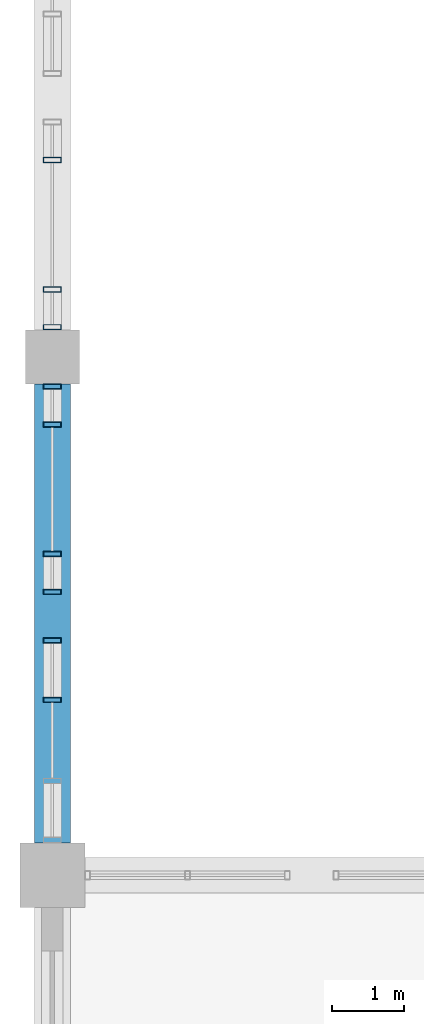
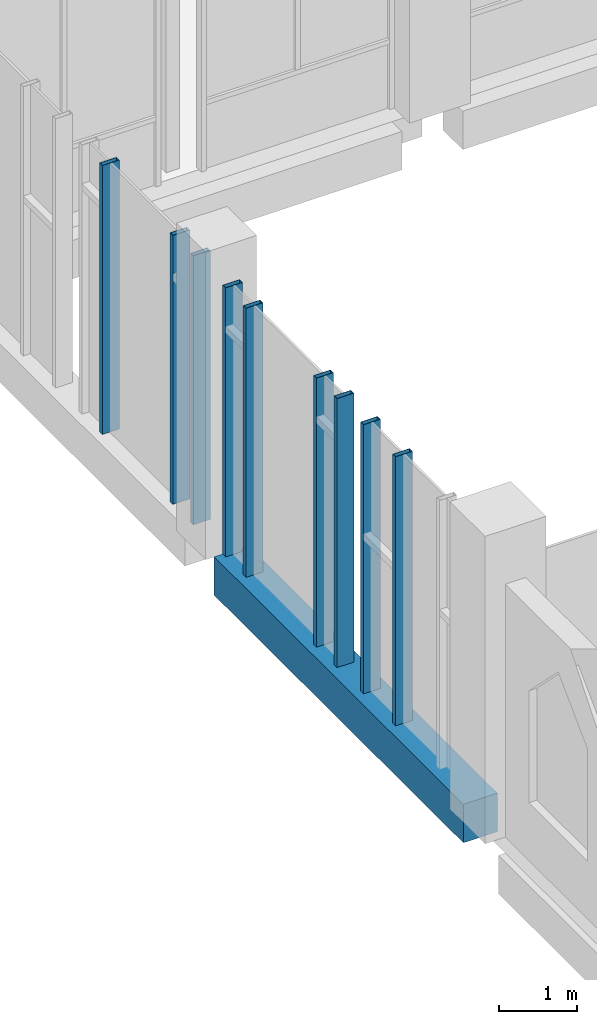
# One storey, part 4 of 39: 9 members, 1 beam, 3 elements without a shape of their own.
"""IFC4 building model written with IfcOpenShell, lengths in metres."""

from ifc_helpers import new_model, si_unit, direction, frame, origin, origin_2d, place, context, subcontext, project, spatial, rectangle, hollow_rectangle, extrude, material, material_profile, profile_set, type_object, element, aggregate, save


model = new_model("IFC4")

# Units and contexts
model_context = context("Model", 3, precision=1e-05, world=origin(), true_north=direction((0.0, 1.0)))
body_context = subcontext(model_context, "Body", "Model", "MODEL_VIEW")
ifc_project = project(units=[si_unit("LENGTHUNIT", "METRE"), si_unit("AREAUNIT", "SQUARE_METRE"), si_unit("VOLUMEUNIT", "CUBIC_METRE"), si_unit("PLANEANGLEUNIT", "RADIAN"), si_unit("MASSUNIT", "GRAM", prefix="KILO")], contexts=[model_context])

# Site, building, storey
site_placement = place(None, origin())
site = spatial("IfcSite", under=ifc_project, at=site_placement, CompositionType="ELEMENT")
building_placement = place(site_placement, origin())
building = spatial("IfcBuilding", under=site, at=building_placement, Name="Silangan Lancet Faculty of Sciences", CompositionType="ELEMENT")
storey_placement = place(building_placement, frame((0.0, 0.0, 26.39990234375)))
storey = spatial("IfcBuildingStorey", under=building, at=storey_placement, Name="L05", CompositionType="ELEMENT", Elevation=26.39990234375)

# Beam
ifc_material_1 = material(Name="Concrete C40/50", Category="concrete")
ifc_material_profile_1 = material_profile(ifc_material_1, rectangle(XDim=0.5, YDim=0.60009765625, at=origin_2d()), Name="RC 500x600")
ifc_profile_set_1 = profile_set([ifc_material_profile_1], Name="Concrete C40/50")
beam_type = type_object("IfcBeamType", Name="BEAM RC 500x600", PredefinedType="BEAM", material=ifc_profile_set_1)
beam_placement = place(storey_placement, frame((0.0, 22.050048828125, -0.2998046875), z_axis=(0.0, 1.0, 0.0), x_axis=(-1.0, 0.0, 0.0)))
element("IfcBeam", 1, at=beam_placement, inside=storey, type_object=beam_type, Name="BM-L05-1D-1E", PredefinedType="BEAM", context=body_context, shape_type="SweptSolid", body=[
    extrude(rectangle(XDim=0.5, YDim=0.60009765625, at=origin_2d()), origin(), (0.0, 0.0, 1.0), 6.375),
])

# Curtain wall, members
ifc_material_2 = material(Name="Aluminium framed curtain wall with insulated glass", Category="aluminium")
curtain_wall_type_1 = type_object("IfcCurtainWallType", Name="CW3 West stepped lancet window", PredefinedType="NOTDEFINED", material=ifc_material_2)
curtain_wall_1_placement = place(storey_placement, origin())
curtain_wall_1 = element("IfcCurtainWall", 2, at=curtain_wall_1_placement, inside=storey, type_object=curtain_wall_type_1, Name="CW3 West window L05 bay 1", PredefinedType="NOTDEFINED")
ifc_material_3 = material(Name="Aluminium 6063-T6 extrusion", Category="aluminium")
ifc_material_profile_2 = material_profile(ifc_material_3, hollow_rectangle(XDim=0.074951171875, YDim=0.25, WallThickness=0.006103515625, at=origin_2d()), Name="AL BOX 75x250x6")
ifc_profile_set_2 = profile_set([ifc_material_profile_2], Name="Aluminium 6063-T6 extrusion")
member_type = type_object("IfcMemberType", Name="CM3 Mullion 75x250", PredefinedType="MULLION", material=ifc_profile_set_2)
member_1_placement = place(storey_placement, frame((0.0, 24.862548828125, 0.0), z_axis=(0.0, 0.0, 1.0), x_axis=(0.0, 1.0, 0.0)))
member_1 = element("IfcMember", 3, at=member_1_placement, type_object=member_type, Name="CW3 West window L05 bay 1 mullion 2", PredefinedType="MULLION", context=body_context, shape_type="SweptSolid", body=[
    extrude(hollow_rectangle(XDim=0.074951171875, YDim=0.25, WallThickness=0.006103515625, at=origin_2d()), origin(), (0.0, 0.0, 1.0), 4.2001953125),
])
member_2_placement = place(storey_placement, frame((0.0, 24.03759765625, 0.0), z_axis=(0.0, 0.0, 1.0), x_axis=(0.0, 1.0, 0.0)))
member_2 = element("IfcMember", 4, at=member_2_placement, type_object=member_type, Name="CW3 West window L05 bay 1 mullion 4", PredefinedType="MULLION", context=body_context, shape_type="SweptSolid", body=[
    extrude(hollow_rectangle(XDim=0.074951171875, YDim=0.25, WallThickness=0.006103515625, at=origin_2d()), origin(), (0.0, 0.0, 1.0), 4.2001953125),
])
aggregate(curtain_wall_1, [member_1, member_2])

ifc_material_4 = material(Name="Aluminium framed curtain wall with insulated glass", Category="aluminium")
curtain_wall_type_2 = type_object("IfcCurtainWallType", Name="CW6 West window middle bays", PredefinedType="NOTDEFINED", material=ifc_material_4)
curtain_wall_2_placement = place(storey_placement, origin())
curtain_wall_2 = element("IfcCurtainWall", 5, at=curtain_wall_2_placement, inside=storey, type_object=curtain_wall_type_2, Name="CW6 West window L05 bay 2", PredefinedType="NOTDEFINED")
member_3_placement = place(storey_placement, frame((0.0, 25.53759765625, 0.0), z_axis=(0.0, 0.0, 1.0), x_axis=(0.0, 1.0, 0.0)))
member_3 = element("IfcMember", 6, at=member_3_placement, type_object=member_type, Name="CW6 West window L05 bay 2 mullion 1", PredefinedType="MULLION", context=body_context, shape_type="SweptSolid", body=[
    extrude(hollow_rectangle(XDim=0.074951171875, YDim=0.25, WallThickness=0.006103515625, at=origin_2d()), origin(), (0.0, 0.0, 1.0), 4.2001953125),
])
member_4_placement = place(storey_placement, frame((0.0, 28.387451171875, 0.0), z_axis=(0.0, 0.0, 1.0), x_axis=(0.0, 1.0, 0.0)))
member_4 = element("IfcMember", 7, at=member_4_placement, type_object=member_type, Name="CW6 West window L05 bay 2 mullion 2", PredefinedType="MULLION", context=body_context, shape_type="SweptSolid", body=[
    extrude(hollow_rectangle(XDim=0.074951171875, YDim=0.25, WallThickness=0.006103515625, at=origin_2d()), origin(), (0.0, 0.0, 1.0), 4.2001953125),
])
member_5_placement = place(storey_placement, frame((0.0, 26.0625, 0.0), z_axis=(0.0, 0.0, 1.0), x_axis=(0.0, 1.0, 0.0)))
member_5 = element("IfcMember", 8, at=member_5_placement, type_object=member_type, Name="CW6 West window L05 bay 2 mullion 3", PredefinedType="MULLION", context=body_context, shape_type="SweptSolid", body=[
    extrude(hollow_rectangle(XDim=0.074951171875, YDim=0.25, WallThickness=0.006103515625, at=origin_2d()), origin(), (0.0, 0.0, 1.0), 4.2001953125),
])
member_6_placement = place(storey_placement, frame((0.0, 27.862548828125, 0.0), z_axis=(0.0, 0.0, 1.0), x_axis=(0.0, 1.0, 0.0)))
member_6 = element("IfcMember", 9, at=member_6_placement, type_object=member_type, Name="CW6 West window L05 bay 2 mullion 4", PredefinedType="MULLION", context=body_context, shape_type="SweptSolid", body=[
    extrude(hollow_rectangle(XDim=0.074951171875, YDim=0.25, WallThickness=0.006103515625, at=origin_2d()), origin(), (0.0, 0.0, 1.0), 4.2001953125),
])
aggregate(curtain_wall_2, [member_3, member_4, member_5, member_6])

curtain_wall_3_placement = place(storey_placement, origin())
curtain_wall_3 = element("IfcCurtainWall", 10, at=curtain_wall_3_placement, inside=storey, type_object=curtain_wall_type_2, Name="CW6 West window L05 bay 3", PredefinedType="NOTDEFINED")
member_7_placement = place(storey_placement, frame((0.0, 29.21240234375, 0.0), z_axis=(0.0, 0.0, 1.0), x_axis=(0.0, 1.0, 0.0)))
member_7 = element("IfcMember", 11, at=member_7_placement, type_object=member_type, Name="CW6 West window L05 bay 3 mullion 1", PredefinedType="MULLION", context=body_context, shape_type="SweptSolid", body=[
    extrude(hollow_rectangle(XDim=0.074951171875, YDim=0.25, WallThickness=0.006103515625, at=origin_2d()), origin(), (0.0, 0.0, 1.0), 4.2001953125),
])
member_8_placement = place(storey_placement, frame((0.0, 29.737548828125, 0.0), z_axis=(0.0, 0.0, 1.0), x_axis=(0.0, 1.0, 0.0)))
member_8 = element("IfcMember", 12, at=member_8_placement, type_object=member_type, Name="CW6 West window L05 bay 3 mullion 3", PredefinedType="MULLION", context=body_context, shape_type="SweptSolid", body=[
    extrude(hollow_rectangle(XDim=0.074951171875, YDim=0.25, WallThickness=0.006103515625, at=origin_2d()), origin(), (0.0, 0.0, 1.0), 4.2001953125),
])
member_9_placement = place(storey_placement, frame((0.0, 31.537353515625, 0.0), z_axis=(0.0, 0.0, 1.0), x_axis=(0.0, 1.0, 0.0)))
member_9 = element("IfcMember", 13, at=member_9_placement, type_object=member_type, Name="CW6 West window L05 bay 3 mullion 4", PredefinedType="MULLION", context=body_context, shape_type="SweptSolid", body=[
    extrude(hollow_rectangle(XDim=0.074951171875, YDim=0.25, WallThickness=0.006103515625, at=origin_2d()), origin(), (0.0, 0.0, 1.0), 4.2001953125),
])
aggregate(curtain_wall_3, [member_7, member_8, member_9])

save(model, "model.ifc")
